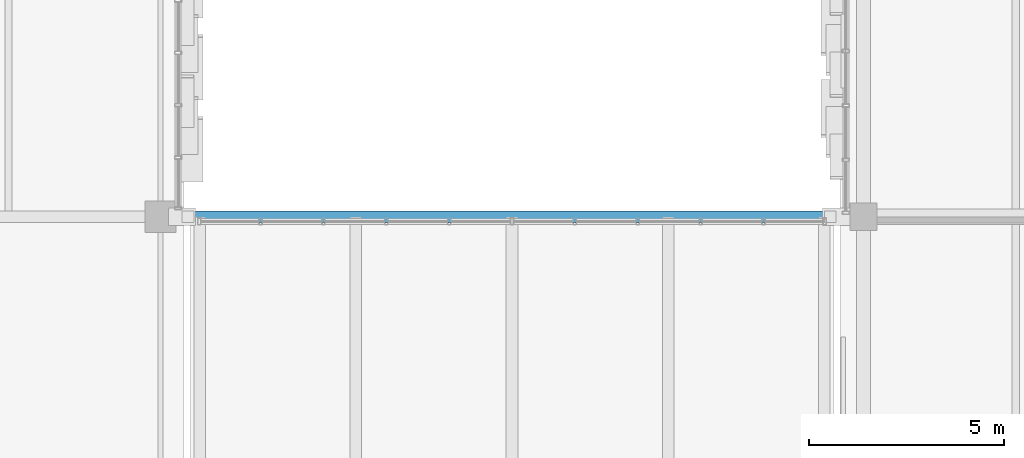
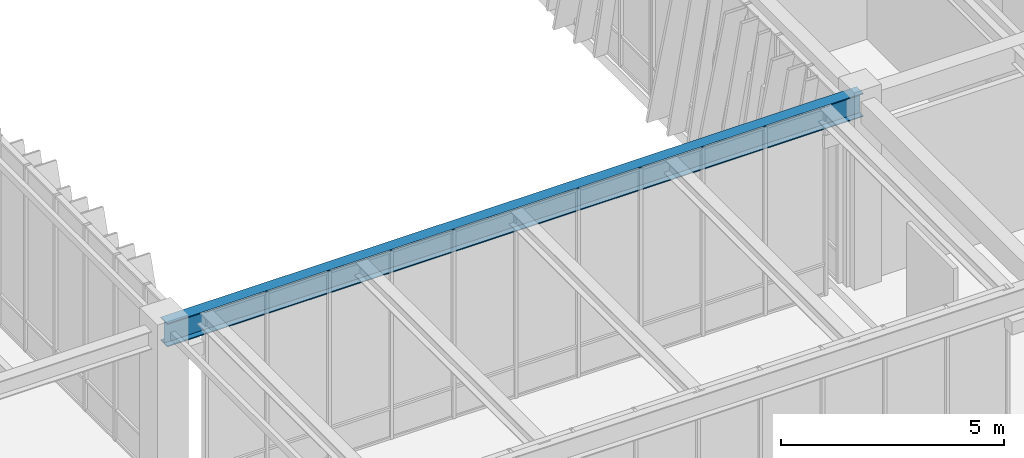
# One storey, part 59 of 139: 1 beam.
"""IFC4 building model written with IfcOpenShell, lengths in metres."""

from ifc_helpers import new_model, si_unit, direction, frame, origin, origin_2d, place, context, subcontext, project, spatial, i_section, extrude, material, material_profile, profile_set, type_object, element, save


model = new_model("IFC4")

# Units and contexts
model_context = context("Model", 3, precision=1e-05, world=origin(), true_north=direction((0.0, 1.0)))
body_context = subcontext(model_context, "Body", "Model", "MODEL_VIEW")
ifc_project = project(units=[si_unit("LENGTHUNIT", "METRE"), si_unit("AREAUNIT", "SQUARE_METRE"), si_unit("VOLUMEUNIT", "CUBIC_METRE"), si_unit("PLANEANGLEUNIT", "RADIAN"), si_unit("MASSUNIT", "GRAM", prefix="KILO")], contexts=[model_context])

# Site, building, storey
site_placement = place(None, origin())
site = spatial("IfcSite", under=ifc_project, at=site_placement, CompositionType="ELEMENT")
building_placement = place(site_placement, origin())
building = spatial("IfcBuilding", under=site, at=building_placement, Name="Zayran Congress Hotel", CompositionType="ELEMENT")
storey_placement = place(building_placement, frame((0.0, 0.0, 5.39990234375)))
storey = spatial("IfcBuildingStorey", under=building, at=storey_placement, Name="L01", CompositionType="ELEMENT", Elevation=5.39990234375)

# Beam
ifc_material = material(Name="Steel S355", Category="steel")
ifc_material_profile = material_profile(ifc_material, i_section(OverallWidth=0.300048828125, OverallDepth=0.639892578125, WebThickness=0.013427734375, FlangeThickness=0.02587890625, at=origin_2d()), Name="HEA 650")
ifc_profile_set = profile_set([ifc_material_profile], Name="Steel S355")
beam_type = type_object("IfcBeamType", Name="TP-BM-04", PredefinedType="BEAM", material=ifc_profile_set)
beam_placement = place(storey_placement, frame((91.800048828125, 84.39990234375, 4.830078125), z_axis=(1.0, 0.0, 0.0), x_axis=(0.0, 1.0, 0.0)))
element("IfcBeam", 1, at=beam_placement, inside=storey, type_object=beam_type, Name="BM-BR1-L01-2409", PredefinedType="BEAM", context=body_context, shape_type="SweptSolid", body=[
    extrude(i_section(OverallWidth=0.300048828125, OverallDepth=0.639892578125, WebThickness=0.013427734375, FlangeThickness=0.02587890625, at=origin_2d()), origin(), (0.0, 0.0, 1.0), 18.0),
])

save(model, "model.ifc")
